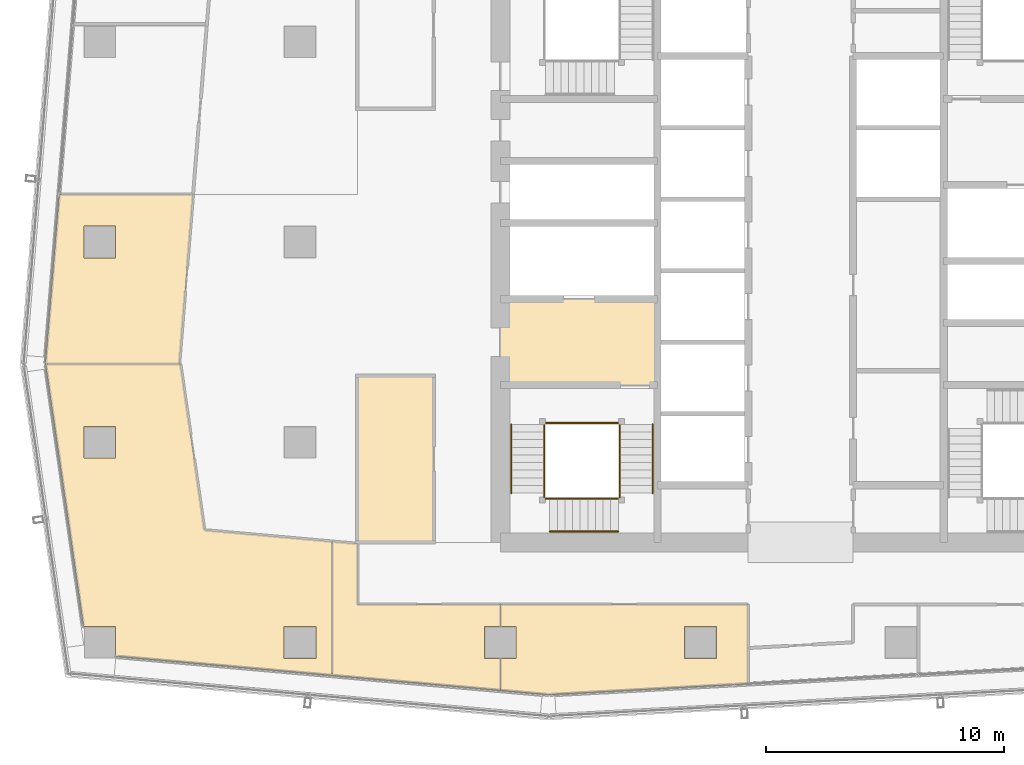
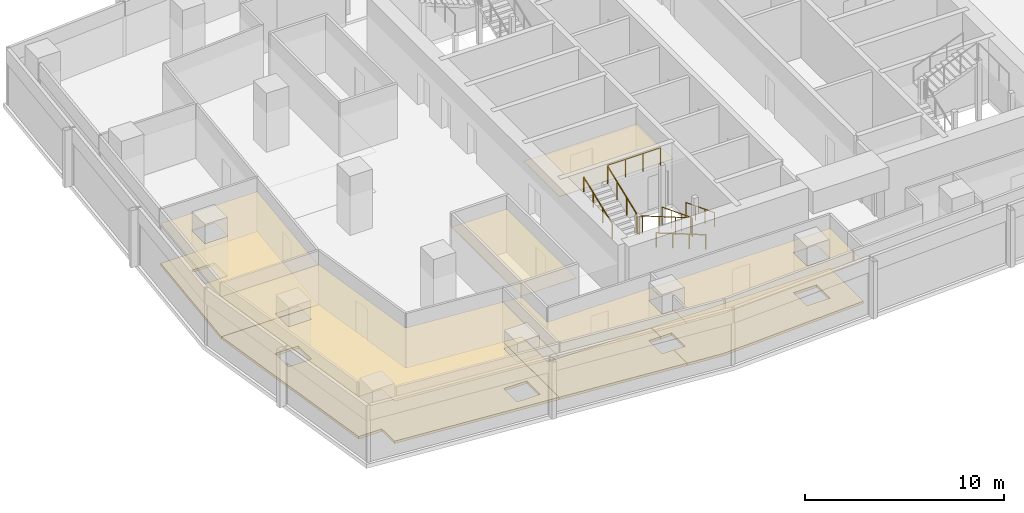
# One storey, part 26 of 29: 10 coverings, 10 railings.
"""IFC4 building model written with IfcOpenShell, lengths in metres."""

from ifc_helpers import new_model, si_unit, direction, frame, origin, origin_2d, place, context, subcontext, project, spatial, polyline, circle, outline, extrude, material, layer, layer_set, type_object, element, save


model = new_model("IFC4")

# Units and contexts
model_context = context("Model", 3, precision=1e-05, world=origin(), true_north=direction((0.0, 1.0)))
body_context = subcontext(model_context, "Body", "Model", "MODEL_VIEW")
ifc_project = project(units=[si_unit("LENGTHUNIT", "METRE"), si_unit("AREAUNIT", "SQUARE_METRE"), si_unit("VOLUMEUNIT", "CUBIC_METRE"), si_unit("PLANEANGLEUNIT", "RADIAN"), si_unit("MASSUNIT", "GRAM", prefix="KILO")], contexts=[model_context])

# Site, building, storey
site_placement = place(None, origin())
site = spatial("IfcSite", under=ifc_project, at=site_placement, CompositionType="ELEMENT")
building_placement = place(site_placement, origin())
building = spatial("IfcBuilding", under=site, at=building_placement, Name="Rekha Terrace Tower", CompositionType="ELEMENT")
storey_placement = place(building_placement, frame((0.0, 0.0, 280.10009765625)))
storey = spatial("IfcBuildingStorey", under=building, at=storey_placement, Name="L71", CompositionType="ELEMENT", Elevation=280.10009765625)

# Coverings
ifc_material_1 = material(Name="Mineral fibre tile in exposed grid", Category="finish")
ifc_layer_1 = layer(ifc_material_1, 0.02001953125)
ifc_layer_set_1 = layer_set([ifc_layer_1], Name="Mineral fibre tile in exposed grid")
covering_type_1 = type_object("IfcCoveringType", Name="CL1 600x1200 office grid ceiling", PredefinedType="CEILING", material=ifc_layer_set_1)
covering_1_placement = place(storey_placement, frame((0.0, 0.0, 2.579833984375)))
element("IfcCovering", 1, at=covering_1_placement, inside=storey, type_object=covering_type_1, Name="Ceiling L71-11", PredefinedType="CEILING", context=body_context, shape_type="SweptSolid", body=[
    extrude(outline(polyline([(11.73193359375, 28.491943359375), (12.30908203125, 35.589111328125), (6.69091796875, 35.589111328125), (6.113037109375, 28.491943359375), (11.73193359375, 28.491943359375)]), holes=[polyline([(9.06494140625, 34.264892578125), (9.06494140625, 32.93505859375), (7.735107421875, 32.93505859375), (7.735107421875, 34.264892578125), (9.06494140625, 34.264892578125)])]), origin(), (0.0, 0.0, 1.0), 0.02001953125),
])
covering_2_placement = place(storey_placement, frame((0.0, 0.0, 2.579833984375)))
element("IfcCovering", 2, at=covering_2_placement, inside=storey, type_object=covering_type_1, Name="Ceiling L71-12", PredefinedType="CEILING", context=body_context, shape_type="SweptSolid", body=[
    extrude(outline(polyline([(6.12109375, 28.490966796875), (7.715087890625, 17.465087890625), (9.06494140625, 17.465087890625), (9.06494140625, 16.22705078125), (18.14892578125, 15.4189453125), (18.14892578125, 21.041015625), (12.787109375, 21.51806640625), (11.779052734375, 28.490966796875), (6.12109375, 28.490966796875)]), holes=[polyline([(17.465087890625, 17.465087890625), (17.465087890625, 16.135009765625), (16.135009765625, 16.135009765625), (16.135009765625, 17.465087890625), (17.465087890625, 17.465087890625)]), polyline([(9.06494140625, 25.864990234375), (9.06494140625, 24.534912109375), (7.735107421875, 24.534912109375), (7.735107421875, 25.864990234375), (9.06494140625, 25.864990234375)])]), origin(), (0.0, 0.0, 1.0), 0.02001953125),
])
covering_3_placement = place(storey_placement, frame((0.0, 0.0, 2.579833984375)))
element("IfcCovering", 3, at=covering_3_placement, inside=storey, type_object=covering_type_1, Name="Ceiling L71-13", PredefinedType="CEILING", context=body_context, shape_type="SweptSolid", body=[
    extrude(outline(polyline([(19.199951171875, 18.39990234375), (19.199951171875, 20.947998046875), (18.14990234375, 21.041015625), (18.14990234375, 15.4189453125), (25.2060546875, 14.7919921875), (25.2060546875, 16.135009765625), (24.534912109375, 16.135009765625), (24.534912109375, 17.465087890625), (25.2060546875, 17.465087890625), (25.2060546875, 18.39990234375), (19.199951171875, 18.39990234375)])), origin(), (0.0, 0.0, 1.0), 0.02001953125),
])
covering_4_placement = place(storey_placement, frame((0.0, 0.0, 2.579833984375)))
element("IfcCovering", 4, at=covering_4_placement, inside=storey, type_object=covering_type_1, Name="Ceiling L71-14", PredefinedType="CEILING", context=body_context, shape_type="SweptSolid", body=[
    extrude(outline(polyline([(35.597900390625, 15.069091796875), (35.597900390625, 18.39990234375), (25.20703125, 18.39990234375), (25.20703125, 17.465087890625), (25.864990234375, 17.465087890625), (25.864990234375, 16.135009765625), (25.20703125, 16.135009765625), (25.20703125, 14.7919921875), (27.221923828125, 14.613037109375), (35.597900390625, 15.069091796875)]), holes=[polyline([(34.264892578125, 16.135009765625), (32.93505859375, 16.135009765625), (32.93505859375, 17.465087890625), (34.264892578125, 17.465087890625), (34.264892578125, 16.135009765625)])]), origin(), (0.0, 0.0, 1.0), 0.02001953125),
])
ifc_material_2 = material(Name="Fibre cement board", Category="finish")
ifc_layer_2 = layer(ifc_material_2, 0.014892578125)
ifc_layer_set_2 = layer_set([ifc_layer_2], Name="Fibre cement board")
covering_type_2 = type_object("IfcCoveringType", Name="CL2 moisture-resistant board ceiling", PredefinedType="CEILING", material=ifc_layer_set_2)
covering_5_placement = place(storey_placement, frame((0.0, 0.0, 2.5849609375)))
element("IfcCovering", 5, at=covering_5_placement, inside=storey, type_object=covering_type_2, Name="Ceiling L71-WCM", PredefinedType="CEILING", context=body_context, shape_type="SweptSolid", body=[
    extrude(outline(polyline([(22.39990234375, 28.0), (19.199951171875, 28.0), (19.199951171875, 21.0), (22.39990234375, 21.0), (22.39990234375, 28.0)])), origin(), (0.0, 0.0, 1.0), 0.014892578125),
])
ifc_material_3 = material(Name="Powder-coated aluminium pan", Category="aluminium")
ifc_layer_3 = layer(ifc_material_3, 0.030029296875)
ifc_layer_set_3 = layer_set([ifc_layer_3], Name="Powder-coated aluminium pan")
covering_type_3 = type_object("IfcCoveringType", Name="CL3 300x1200 metal pan ceiling", PredefinedType="CEILING", material=ifc_layer_set_3)
covering_6_placement = place(storey_placement, frame((0.0, 0.0, 2.56982421875)))
element("IfcCovering", 6, at=covering_6_placement, inside=storey, type_object=covering_type_3, Name="Ceiling L71-FLB1", PredefinedType="CEILING", context=body_context, shape_type="SweptSolid", body=[
    extrude(outline(polyline([(31.800048828125, 31.199951171875), (25.199951171875, 31.199951171875), (25.199951171875, 27.60009765625), (31.800048828125, 27.60009765625), (31.800048828125, 31.199951171875)])), origin(), (0.0, 0.0, 1.0), 0.030029296875),
])

# Railings
ifc_material_4 = material(Name="Stainless steel balustrade", Category="steel")
railing_type_1 = type_object("IfcRailingType", Name="GR1 1100 stair guard", PredefinedType="GUARDRAIL", material=ifc_material_4)
railing_1_placement = place(storey_placement, frame((30.2099609375, 25.949951171875, 0.125)))
element("IfcRailing", 7, at=railing_1_placement, inside=storey, type_object=railing_type_1, Name="Guard ST1 L71 flight 1", PredefinedType="GUARDRAIL", context=body_context, shape_type="SweptSolid", body=[
    extrude(circle(Radius=0.02392578125, at=origin_2d()), frame((0.0, 0.0, 1.076171875), z_axis=(0.0, -0.931452331594, 0.363863372667), x_axis=(1.0, 0.0, 0.0)), (0.0, 0.0, 1.0), 3.091796875),
    extrude(circle(Radius=0.02099609375, at=origin_2d()), origin(), (0.0, 0.0, 1.0), 1.052001953125),
    extrude(circle(Radius=0.02099609375, at=origin_2d()), frame((0.0, -0.9599609375, 0.375)), (0.0, 0.0, 1.0), 1.052001953125),
    extrude(circle(Radius=0.02099609375, at=origin_2d()), frame((0.0, -1.919921875, 0.75)), (0.0, 0.0, 1.0), 1.052001953125),
    extrude(circle(Radius=0.02099609375, at=origin_2d()), frame((0.0, -2.8798828125, 1.125)), (0.0, 0.0, 1.0), 1.052001953125),
])
railing_2_placement = place(storey_placement, frame((30.14990234375, 22.840087890625, 1.375)))
element("IfcRailing", 8, at=railing_2_placement, inside=storey, type_object=railing_type_1, Name="Guard ST1 L71 flight 2", PredefinedType="GUARDRAIL", context=body_context, shape_type="SweptSolid", body=[
    extrude(circle(Radius=0.02392578125, at=origin_2d()), frame((0.0, 0.0, 1.076171875), z_axis=(-0.931452331594, 0.0, 0.363863372667), x_axis=(0.0, -1.0, 0.0)), (0.0, 0.0, 1.0), 3.091796875),
    extrude(circle(Radius=0.02099609375, at=origin_2d()), origin(), (0.0, 0.0, 1.0), 1.052001953125),
    extrude(circle(Radius=0.02099609375, at=origin_2d()), frame((-0.9599609375, 0.0, 0.375)), (0.0, 0.0, 1.0), 1.052001953125),
    extrude(circle(Radius=0.02099609375, at=origin_2d()), frame((-1.919921875, 0.0, 0.75)), (0.0, 0.0, 1.0), 1.052001953125),
    extrude(circle(Radius=0.02099609375, at=origin_2d()), frame((-2.8798828125, 0.0, 1.125)), (0.0, 0.0, 1.0), 1.052001953125),
])
railing_3_placement = place(storey_placement, frame((27.0400390625, 23.070068359375, 2.625)))
element("IfcRailing", 9, at=railing_3_placement, inside=storey, type_object=railing_type_1, Name="Guard ST1 L71 flight 3", PredefinedType="GUARDRAIL", context=body_context, shape_type="SweptSolid", body=[
    extrude(circle(Radius=0.02392578125, at=origin_2d()), frame((0.0, 0.0, 1.076171875), z_axis=(0.0, 0.931452331594, 0.363863372667), x_axis=(-1.0, 0.0, 0.0)), (0.0, 0.0, 1.0), 3.091796875),
    extrude(circle(Radius=0.02099609375, at=origin_2d()), origin(), (0.0, 0.0, 1.0), 1.052001953125),
    extrude(circle(Radius=0.02099609375, at=origin_2d()), frame((0.0, 0.9599609375, 0.375)), (0.0, 0.0, 1.0), 1.052001953125),
    extrude(circle(Radius=0.02099609375, at=origin_2d()), frame((0.0, 1.919921875, 0.75)), (0.0, 0.0, 1.0), 1.052001953125),
    extrude(circle(Radius=0.02099609375, at=origin_2d()), frame((0.0, 2.8798828125, 1.125)), (0.0, 0.0, 1.0), 1.052001953125),
])
railing_4_placement = place(storey_placement, frame((30.2099609375, 23.070068359375, 1.25)))
element("IfcRailing", 10, at=railing_4_placement, inside=storey, type_object=railing_type_1, Name="Guard ST1 L71 landing 1", PredefinedType="GUARDRAIL", context=body_context, shape_type="SweptSolid", body=[
    extrude(circle(Radius=0.02392578125, at=origin_2d()), frame((0.0, 0.0, 1.076171875), z_axis=(0.0, -1.0, 0.0), x_axis=(1.0, 0.0, 0.0)), (0.0, 0.0, 1.0), 0.170166015625),
    extrude(circle(Radius=0.02099609375, at=origin_2d()), origin(), (0.0, 0.0, 1.0), 1.052001953125),
    extrude(circle(Radius=0.02099609375, at=origin_2d()), frame((0.0, -0.170166015625, 0.0)), (0.0, 0.0, 1.0), 1.052001953125),
])
railing_5_placement = place(storey_placement, frame((27.27001953125, 22.840087890625, 2.5)))
element("IfcRailing", 11, at=railing_5_placement, inside=storey, type_object=railing_type_1, Name="Guard ST1 L71 landing 2", PredefinedType="GUARDRAIL", context=body_context, shape_type="SweptSolid", body=[
    extrude(circle(Radius=0.02392578125, at=origin_2d()), frame((0.0, 0.0, 1.076171875), z_axis=(-1.0, 0.0, 0.0), x_axis=(0.0, -1.0, 0.0)), (0.0, 0.0, 1.0), 0.169921875),
    extrude(circle(Radius=0.02099609375, at=origin_2d()), origin(), (0.0, 0.0, 1.0), 1.052001953125),
    extrude(circle(Radius=0.02099609375, at=origin_2d()), frame((-0.169921875, 0.0, 0.0)), (0.0, 0.0, 1.0), 1.052001953125),
])
railing_6_placement = place(storey_placement, frame((27.0400390625, 23.070068359375, 2.5)))
element("IfcRailing", 12, at=railing_6_placement, inside=storey, type_object=railing_type_1, Name="Guard ST1 L71 landing 3", PredefinedType="GUARDRAIL", context=body_context, shape_type="SweptSolid", body=[
    extrude(circle(Radius=0.02392578125, at=origin_2d()), frame((0.0, 0.0, 1.076171875), z_axis=(0.0, -1.0, 0.0), x_axis=(1.0, 0.0, 0.0)), (0.0, 0.0, 1.0), 0.170166015625),
    extrude(circle(Radius=0.02099609375, at=origin_2d()), origin(), (0.0, 0.0, 1.0), 1.052001953125),
    extrude(circle(Radius=0.02099609375, at=origin_2d()), frame((0.0, -0.170166015625, 0.0)), (0.0, 0.0, 1.0), 1.052001953125),
])
railing_7_placement = place(storey_placement, frame((30.14990234375, 26.010009765625, 3.75)))
element("IfcRailing", 13, at=railing_7_placement, inside=storey, type_object=railing_type_1, Name="Guard ST1 L71 landing 4", PredefinedType="GUARDRAIL", context=body_context, shape_type="SweptSolid", body=[
    extrude(circle(Radius=0.02392578125, at=origin_2d()), frame((0.0, 0.0, 1.076171875), z_axis=(-1.0, 0.0, 0.0), x_axis=(0.0, -1.0, 0.0)), (0.0, 0.0, 1.0), 3.0498046875),
    extrude(circle(Radius=0.02099609375, at=origin_2d()), origin(), (0.0, 0.0, 1.0), 1.052001953125),
    extrude(circle(Radius=0.02099609375, at=origin_2d()), frame((-1.0166015625, 0.0, 0.0)), (0.0, 0.0, 1.0), 1.052001953125),
    extrude(circle(Radius=0.02099609375, at=origin_2d()), frame((-2.033203125, 0.0, 0.0)), (0.0, 0.0, 1.0), 1.052001953125),
    extrude(circle(Radius=0.02099609375, at=origin_2d()), frame((-3.0498046875, 0.0, 0.0)), (0.0, 0.0, 1.0), 1.052001953125),
])
ifc_material_5 = material(Name="Stainless steel tube", Category="steel")
railing_type_2 = type_object("IfcRailingType", Name="HR1 900 stair handrail", PredefinedType="HANDRAIL", material=ifc_material_5)
railing_8_placement = place(storey_placement, frame((31.590087890625, 25.949951171875, 0.125)))
element("IfcRailing", 14, at=railing_8_placement, inside=storey, type_object=railing_type_2, Name="Handrail ST1 L71 flight 1", PredefinedType="HANDRAIL", context=body_context, shape_type="SweptSolid", body=[
    extrude(circle(Radius=0.02392578125, at=origin_2d()), frame((0.0, 0.0, 0.8759765625), z_axis=(0.0, -0.931452331594, 0.363863372667), x_axis=(1.0, 0.0, 0.0)), (0.0, 0.0, 1.0), 3.091796875),
    extrude(circle(Radius=0.02099609375, at=origin_2d()), origin(), (0.0, 0.0, 1.0), 0.851806640625),
    extrude(circle(Radius=0.02099609375, at=origin_2d()), frame((0.0, -0.9599609375, 0.375)), (0.0, 0.0, 1.0), 0.851806640625),
    extrude(circle(Radius=0.02099609375, at=origin_2d()), frame((0.0, -1.919921875, 0.75)), (0.0, 0.0, 1.0), 0.851806640625),
    extrude(circle(Radius=0.02099609375, at=origin_2d()), frame((0.0, -2.8798828125, 1.125)), (0.0, 0.0, 1.0), 0.851806640625),
])
railing_9_placement = place(storey_placement, frame((30.14990234375, 21.4599609375, 1.375)))
element("IfcRailing", 15, at=railing_9_placement, inside=storey, type_object=railing_type_2, Name="Handrail ST1 L71 flight 2", PredefinedType="HANDRAIL", context=body_context, shape_type="SweptSolid", body=[
    extrude(circle(Radius=0.02392578125, at=origin_2d()), frame((0.0, 0.0, 0.8759765625), z_axis=(-0.931452331594, 0.0, 0.363863372667), x_axis=(0.0, -1.0, 0.0)), (0.0, 0.0, 1.0), 3.091796875),
    extrude(circle(Radius=0.02099609375, at=origin_2d()), origin(), (0.0, 0.0, 1.0), 0.851806640625),
    extrude(circle(Radius=0.02099609375, at=origin_2d()), frame((-0.9599609375, 0.0, 0.375)), (0.0, 0.0, 1.0), 0.851806640625),
    extrude(circle(Radius=0.02099609375, at=origin_2d()), frame((-1.919921875, 0.0, 0.75)), (0.0, 0.0, 1.0), 0.851806640625),
    extrude(circle(Radius=0.02099609375, at=origin_2d()), frame((-2.8798828125, 0.0, 1.125)), (0.0, 0.0, 1.0), 0.851806640625),
])
railing_10_placement = place(storey_placement, frame((25.659912109375, 23.070068359375, 2.625)))
element("IfcRailing", 16, at=railing_10_placement, inside=storey, type_object=railing_type_2, Name="Handrail ST1 L71 flight 3", PredefinedType="HANDRAIL", context=body_context, shape_type="SweptSolid", body=[
    extrude(circle(Radius=0.02392578125, at=origin_2d()), frame((0.0, 0.0, 0.8759765625), z_axis=(0.0, 0.931452331594, 0.363863372667), x_axis=(-1.0, 0.0, 0.0)), (0.0, 0.0, 1.0), 3.091796875),
    extrude(circle(Radius=0.02099609375, at=origin_2d()), origin(), (0.0, 0.0, 1.0), 0.851806640625),
    extrude(circle(Radius=0.02099609375, at=origin_2d()), frame((0.0, 0.9599609375, 0.375)), (0.0, 0.0, 1.0), 0.851806640625),
    extrude(circle(Radius=0.02099609375, at=origin_2d()), frame((0.0, 1.919921875, 0.75)), (0.0, 0.0, 1.0), 0.851806640625),
    extrude(circle(Radius=0.02099609375, at=origin_2d()), frame((0.0, 2.8798828125, 1.125)), (0.0, 0.0, 1.0), 0.851806640625),
])

# Coverings
ifc_material_6 = material(Name="Calcium sulphate panels on steel pedestals", Category="steel")
ifc_layer_4 = layer(ifc_material_6, 0.14990234375)
ifc_layer_set_4 = layer_set([ifc_layer_4], Name="Calcium sulphate panels on steel pedestals")
covering_type_4 = type_object("IfcCoveringType", Name="RF1 150 raised access floor", PredefinedType="FLOORING", material=ifc_layer_set_4)
covering_7_placement = place(storey_placement, origin())
element("IfcCovering", 17, at=covering_7_placement, inside=storey, type_object=covering_type_4, Name="Raised floor L71-11", PredefinedType="FLOORING", context=body_context, shape_type="SweptSolid", body=[
    extrude(outline(polyline([(11.73193359375, 28.491943359375), (12.30908203125, 35.589111328125), (6.69091796875, 35.589111328125), (6.113037109375, 28.491943359375), (11.73193359375, 28.491943359375)]), holes=[polyline([(9.06494140625, 34.264892578125), (9.06494140625, 32.93505859375), (7.735107421875, 32.93505859375), (7.735107421875, 34.264892578125), (9.06494140625, 34.264892578125)])]), origin(), (0.0, 0.0, 1.0), 0.14990234375),
])
covering_8_placement = place(storey_placement, origin())
element("IfcCovering", 18, at=covering_8_placement, inside=storey, type_object=covering_type_4, Name="Raised floor L71-12", PredefinedType="FLOORING", context=body_context, shape_type="SweptSolid", body=[
    extrude(outline(polyline([(6.12109375, 28.490966796875), (7.715087890625, 17.465087890625), (9.06494140625, 17.465087890625), (9.06494140625, 16.22705078125), (18.14892578125, 15.4189453125), (18.14892578125, 21.041015625), (12.787109375, 21.51806640625), (11.779052734375, 28.490966796875), (6.12109375, 28.490966796875)]), holes=[polyline([(17.465087890625, 17.465087890625), (17.465087890625, 16.135009765625), (16.135009765625, 16.135009765625), (16.135009765625, 17.465087890625), (17.465087890625, 17.465087890625)]), polyline([(9.06494140625, 25.864990234375), (9.06494140625, 24.534912109375), (7.735107421875, 24.534912109375), (7.735107421875, 25.864990234375), (9.06494140625, 25.864990234375)])]), origin(), (0.0, 0.0, 1.0), 0.14990234375),
])
covering_9_placement = place(storey_placement, origin())
element("IfcCovering", 19, at=covering_9_placement, inside=storey, type_object=covering_type_4, Name="Raised floor L71-13", PredefinedType="FLOORING", context=body_context, shape_type="SweptSolid", body=[
    extrude(outline(polyline([(19.199951171875, 18.39990234375), (19.199951171875, 20.947998046875), (18.14990234375, 21.041015625), (18.14990234375, 15.4189453125), (25.2060546875, 14.7919921875), (25.2060546875, 16.135009765625), (24.534912109375, 16.135009765625), (24.534912109375, 17.465087890625), (25.2060546875, 17.465087890625), (25.2060546875, 18.39990234375), (19.199951171875, 18.39990234375)])), origin(), (0.0, 0.0, 1.0), 0.14990234375),
])
covering_10_placement = place(storey_placement, origin())
element("IfcCovering", 20, at=covering_10_placement, inside=storey, type_object=covering_type_4, Name="Raised floor L71-14", PredefinedType="FLOORING", context=body_context, shape_type="SweptSolid", body=[
    extrude(outline(polyline([(35.597900390625, 15.069091796875), (35.597900390625, 18.39990234375), (25.20703125, 18.39990234375), (25.20703125, 17.465087890625), (25.864990234375, 17.465087890625), (25.864990234375, 16.135009765625), (25.20703125, 16.135009765625), (25.20703125, 14.7919921875), (27.221923828125, 14.613037109375), (35.597900390625, 15.069091796875)]), holes=[polyline([(34.264892578125, 16.135009765625), (32.93505859375, 16.135009765625), (32.93505859375, 17.465087890625), (34.264892578125, 17.465087890625), (34.264892578125, 16.135009765625)])]), origin(), (0.0, 0.0, 1.0), 0.14990234375),
])

save(model, "model.ifc")
